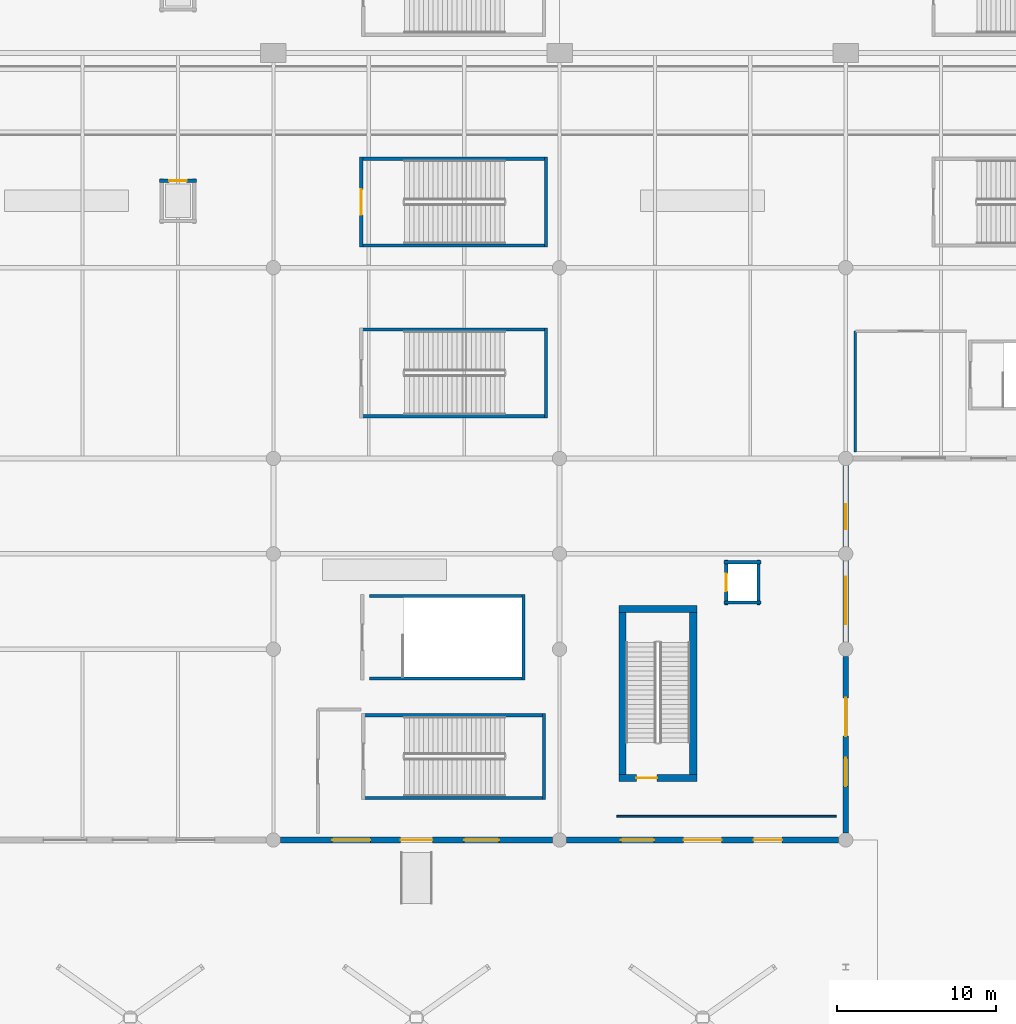
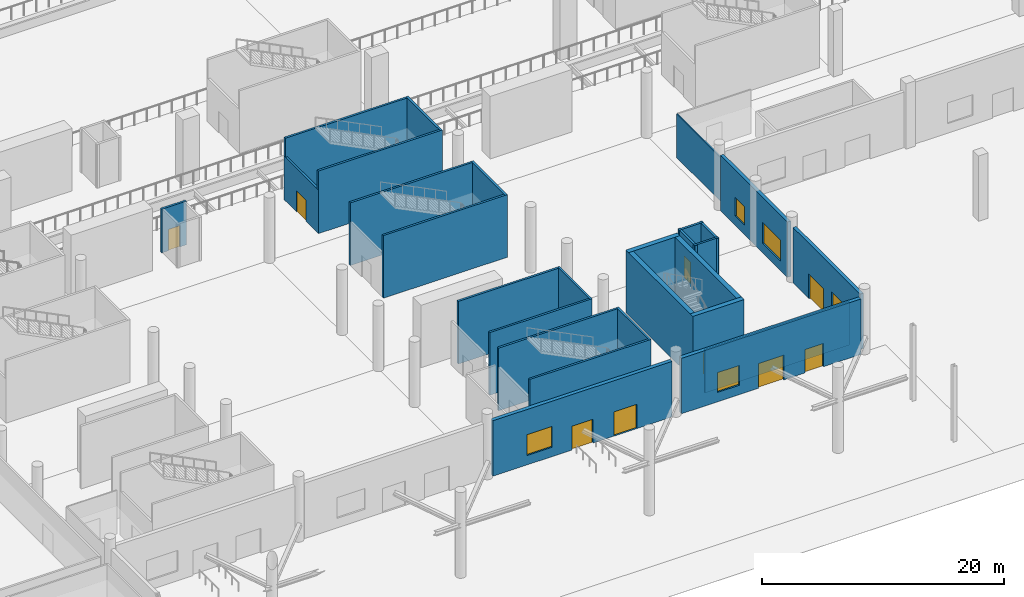
# One storey, part 15 of 65: 28 walls, 9 doors, 5 windows, 14 openings.
"""IFC4 building model written with IfcOpenShell, lengths in metres."""

from ifc_helpers import new_model, si_unit, direction, frame, frame_2d, origin, place, context, subcontext, project, spatial, rectangle, extrude, material, layer, layer_set, type_object, element, fill, save


model = new_model("IFC4")

# Units and contexts
model_context = context("Model", 3, precision=1e-05, world=origin(), true_north=direction((0.0, 1.0)))
body_context = subcontext(model_context, "Body", "Model", "MODEL_VIEW")
ifc_project = project(units=[si_unit("LENGTHUNIT", "METRE"), si_unit("AREAUNIT", "SQUARE_METRE"), si_unit("VOLUMEUNIT", "CUBIC_METRE"), si_unit("PLANEANGLEUNIT", "RADIAN"), si_unit("MASSUNIT", "GRAM", prefix="KILO")], contexts=[model_context])

# Site, building, storey
site_placement = place(None, origin())
site = spatial("IfcSite", under=ifc_project, at=site_placement, CompositionType="ELEMENT")
building_placement = place(site_placement, origin())
building = spatial("IfcBuilding", under=site, at=building_placement, Name="Chuanluo Vaults Station", CompositionType="ELEMENT")
storey_placement = place(building_placement, origin())
storey = spatial("IfcBuildingStorey", under=building, at=storey_placement, Name="L00", CompositionType="ELEMENT", Elevation=0.0)

# Walls
ifc_material_1 = material(Name="Concrete C50", Category="concrete")
ifc_layer_1 = layer(ifc_material_1, 0.449951171875)
ifc_layer_set_1 = layer_set([ifc_layer_1], Name="Concrete C50")
wall_type_1 = type_object("IfcWallType", Name="WL-COR-450", PredefinedType="SHEAR", material=ifc_layer_set_1)
for number, where, z_axis, x_axis, name in (
    (1, (80.41259765625, 21.675048828125, 0.0), (0.0, 0.0, 1.0), (0.0, 1.0, 0.0), "Core K6 left shear wall"),
    (2, (75.96240234375, 32.75, 0.0), (0.0, 0.0, 1.0), (0.0, -1.0, 0.0), "Core K6 right shear wall"),
):
    element("IfcWall", number, at=place(storey_placement, frame(where, z_axis=z_axis, x_axis=x_axis)), inside=storey, type_object=wall_type_1, Name=name, PredefinedType="SHEAR", context=body_context, shape_type="SweptSolid", body=[
        extrude(rectangle(XDim=11.074951171875, YDim=0.449951171875, at=frame_2d((5.53759765625, 0.0))), origin(), (0.0, 0.0, 1.0), 6.320068359375),
    ])
wall_1_placement = place(storey_placement, frame((80.637451171875, 32.52490234375, 0.0), z_axis=(0.0, 0.0, 1.0), x_axis=(-1.0, 0.0, 0.0)))
element("IfcWall", 3, at=wall_1_placement, inside=storey, type_object=wall_type_1, Name="Core K6 far shear wall", PredefinedType="SHEAR", context=body_context, shape_type="SweptSolid", body=[
    extrude(rectangle(XDim=4.89990234375, YDim=0.449951171875, at=frame_2d((2.449951171875, 0.0))), origin(), (0.0, 0.0, 1.0), 6.320068359375),
])

# Wall, opening, door
wall_2_placement = place(storey_placement, frame((75.737548828125, 21.89990234375, 0.0), z_axis=(0.0, 0.0, 1.0), x_axis=(1.0, 0.0, 0.0)))
wall_2 = element("IfcWall", 4, at=wall_2_placement, inside=storey, type_object=wall_type_1, Name="Core K6 near shear wall", PredefinedType="SHEAR", context=body_context, shape_type="SweptSolid", body=[
    extrude(rectangle(XDim=4.89990234375, YDim=0.449951171875, at=frame_2d((2.449951171875, 0.0))), origin(), (0.0, 0.0, 1.0), 6.320068359375),
])
opening_1_placement = place(wall_2_placement, frame((1.10009765625, 0.0, 0.0)))
opening_1 = element("IfcOpeningElement", 5, at=opening_1_placement, cuts=wall_2, Name="Opening FD-05", PredefinedType="OPENING", context=body_context, shape_type="SweptSolid", body=[
    extrude(rectangle(XDim=1.300048828125, YDim=2.10009765625, at=frame_2d((0.64990234375, 1.050048828125))), frame((0.0, 0.2351, 0.0), z_axis=(0.0, -1.0, 0.0), x_axis=(1.0, 0.0, 0.0)), (0.0, 0.0, 1.0), 0.46995),
])
ifc_material_2 = material(Name="Fire-rated steel leaf", Category="steel")
door_type_1 = type_object("IfcDoorType", Name="DR-FIR-1300x2100", OperationType="NOTDEFINED", PredefinedType="DOOR", material=ifc_material_2)
door_1_placement = place(opening_1_placement, origin())
door_1 = element("IfcDoor", 6, at=door_1_placement, inside=storey, type_object=door_type_1, Name="D-090 Stair ST-06 fire door", OperationType="SINGLE_SWING_LEFT", OverallHeight=2.10009765625, OverallWidth=1.300048828125, PredefinedType="DOOR", context=body_context, shape_type="SweptSolid", body=[
    extrude(rectangle(XDim=1.300048828125, YDim=2.10009765625, at=frame_2d((0.64990234375, 1.050048828125))), frame((0.0, 0.02490234375, 0.0), z_axis=(0.0, -1.0, 0.0), x_axis=(1.0, 0.0, 0.0)), (0.0, 0.0, 1.0), 0.050048828125),
])
fill(opening_1, door_1)

# Wall, openings, door, window
ifc_material_3 = material(Name="Concrete C40", Category="concrete")
ifc_layer_2 = layer(ifc_material_3, 0.320068359375)
ifc_layer_set_2 = layer_set([ifc_layer_2], Name="Concrete C40")
wall_type_2 = type_object("IfcWallType", Name="WL-EXT-320", PredefinedType="SOLIDWALL", material=ifc_layer_set_2)
wall_3_placement = place(storey_placement, frame((90.0, 29.550048828125, 0.0), z_axis=(0.0, 0.0, 1.0), x_axis=(0.0, -1.0, 0.0)))
wall_3 = element("IfcWall", 7, at=wall_3_placement, inside=storey, type_object=wall_type_2, Name="Arrival court east wall 1", PredefinedType="SOLIDWALL", context=body_context, shape_type="SweptSolid", body=[
    extrude(rectangle(XDim=11.10009765625, YDim=0.320068359375, at=frame_2d((5.550048828125, 0.0))), origin(), (0.0, 0.0, 1.0), 5.594970703125),
])
opening_2_placement = place(wall_3_placement, frame((2.61669921875, 0.0, 0.0)))
opening_2 = element("IfcOpeningElement", 8, at=opening_2_placement, cuts=wall_3, Name="Opening D-E04", PredefinedType="OPENING", context=body_context, shape_type="SweptSolid", body=[
    extrude(rectangle(XDim=2.39990234375, YDim=2.5, at=frame_2d((1.199951171875, 1.25))), frame((0.0, 0.17016, 0.0), z_axis=(0.0, -1.0, 0.0), x_axis=(1.0, 0.0, 0.0)), (0.0, 0.0, 1.0), 0.34007),
])
opening_3_placement = place(wall_3_placement, frame((6.38330078125, 0.0, 0.949951171875)))
opening_3 = element("IfcOpeningElement", 9, at=opening_3_placement, cuts=wall_3, Name="Opening W-20", PredefinedType="OPENING", context=body_context, shape_type="SweptSolid", body=[
    extrude(rectangle(XDim=1.800048828125, YDim=2.0, at=frame_2d((0.89990234375, 1.0))), frame((0.0, 0.17016, 0.0), z_axis=(0.0, -1.0, 0.0), x_axis=(1.0, 0.0, 0.0)), (0.0, 0.0, 1.0), 0.34007),
])
ifc_material_4 = material(Name="Anodised aluminium 6063-T6", Category="aluminium")
door_type_2 = type_object("IfcDoorType", Name="DR-EXT-2400x2500", OperationType="NOTDEFINED", PredefinedType="DOOR", material=ifc_material_4)
door_2_placement = place(opening_2_placement, origin())
door_2 = element("IfcDoor", 10, at=door_2_placement, inside=storey, type_object=door_type_2, Name="D-009 Arrival court east wall 1 exit door", OperationType="SINGLE_SWING_LEFT", OverallHeight=2.5, OverallWidth=2.39990234375, PredefinedType="DOOR", context=body_context, shape_type="SweptSolid", body=[
    extrude(rectangle(XDim=2.39990234375, YDim=2.5, at=frame_2d((1.199951171875, 1.25))), frame((0.0, 0.02490234375, 0.0), z_axis=(0.0, -1.0, 0.0), x_axis=(1.0, 0.0, 0.0)), (0.0, 0.0, 1.0), 0.050048828125),
])
fill(opening_2, door_2)
ifc_material_5 = material(Name="Double-silver Low-E laminated glass", Category="glass")
window_type_1 = type_object("IfcWindowType", Name="WN-RET-1800x2000", PartitioningType="SINGLE_PANEL", PredefinedType="WINDOW", material=ifc_material_5)
window_1_placement = place(opening_3_placement, origin())
window_1 = element("IfcWindow", 11, at=window_1_placement, inside=storey, type_object=window_type_1, Name="W-005 Ground streetwall window", OverallHeight=2.0, OverallWidth=1.800048828125, PartitioningType="SINGLE_PANEL", PredefinedType="WINDOW", context=body_context, shape_type="SweptSolid", body=[
    extrude(rectangle(XDim=1.800048828125, YDim=2.0, at=frame_2d((0.89990234375, 1.0))), frame((0.0, 0.030029296875, 0.0), z_axis=(0.0, -1.0, 0.0), x_axis=(1.0, 0.0, 0.0)), (0.0, 0.0, 1.0), 0.06005859375),
])
fill(opening_3, window_1)

# Wall, openings, windows
wall_4_placement = place(storey_placement, frame((90.0, 41.550048828125, 0.0), z_axis=(0.0, 0.0, 1.0), x_axis=(0.0, -1.0, 0.0)))
wall_4 = element("IfcWall", 12, at=wall_4_placement, inside=storey, type_object=wall_type_2, Name="Arrival court east wall 2", PredefinedType="SOLIDWALL", context=body_context, shape_type="SweptSolid", body=[
    extrude(rectangle(XDim=11.10009765625, YDim=0.320068359375, at=frame_2d((5.550048828125, 0.0))), origin(), (0.0, 0.0, 1.0), 5.594970703125),
])
opening_4_placement = place(wall_4_placement, frame((2.416748046875, 0.0, 0.949951171875)))
opening_4 = element("IfcOpeningElement", 13, at=opening_4_placement, cuts=wall_4, Name="Opening W-21", PredefinedType="OPENING", context=body_context, shape_type="SweptSolid", body=[
    extrude(rectangle(XDim=1.60009765625, YDim=1.89990234375, at=frame_2d((0.800048828125, 0.949951171875))), frame((0.0, 0.17016, 0.0), z_axis=(0.0, -1.0, 0.0), x_axis=(1.0, 0.0, 0.0)), (0.0, 0.0, 1.0), 0.34007),
])
opening_5_placement = place(wall_4_placement, frame((6.9833984375, 0.0, 0.949951171875)))
opening_5 = element("IfcOpeningElement", 14, at=opening_5_placement, cuts=wall_4, Name="Opening W-16", PredefinedType="OPENING", context=body_context, shape_type="SweptSolid", body=[
    extrude(rectangle(XDim=3.0, YDim=2.10009765625, at=frame_2d((1.5, 1.050048828125))), frame((0.0, 0.17016, 0.0), z_axis=(0.0, -1.0, 0.0), x_axis=(1.0, 0.0, 0.0)), (0.0, 0.0, 1.0), 0.34007),
])
ifc_material_6 = material(Name="Double-silver Low-E laminated glass", Category="glass")
window_type_2 = type_object("IfcWindowType", Name="WN-RET-1600x1900", PartitioningType="SINGLE_PANEL", PredefinedType="WINDOW", material=ifc_material_6)
window_2_placement = place(opening_4_placement, origin())
window_2 = element("IfcWindow", 15, at=window_2_placement, inside=storey, type_object=window_type_2, Name="W-006 Ground streetwall window", OverallHeight=1.89990234375, OverallWidth=1.60009765625, PartitioningType="SINGLE_PANEL", PredefinedType="WINDOW", context=body_context, shape_type="SweptSolid", body=[
    extrude(rectangle(XDim=1.60009765625, YDim=1.89990234375, at=frame_2d((0.800048828125, 0.949951171875))), frame((0.0, 0.030029296875, 0.0), z_axis=(0.0, -1.0, 0.0), x_axis=(1.0, 0.0, 0.0)), (0.0, 0.0, 1.0), 0.06005859375),
])
fill(opening_4, window_2)
ifc_material_7 = material(Name="Double-silver Low-E laminated glass", Category="glass")
window_type_3 = type_object("IfcWindowType", Name="WN-RET-3000x2100", PartitioningType="SINGLE_PANEL", PredefinedType="WINDOW", material=ifc_material_7)
window_3_placement = place(opening_5_placement, origin())
window_3 = element("IfcWindow", 16, at=window_3_placement, inside=storey, type_object=window_type_3, Name="W-007 Ground streetwall window", OverallHeight=2.10009765625, OverallWidth=3.0, PartitioningType="SINGLE_PANEL", PredefinedType="WINDOW", context=body_context, shape_type="SweptSolid", body=[
    extrude(rectangle(XDim=3.0, YDim=2.10009765625, at=frame_2d((1.5, 1.050048828125))), frame((0.0, 0.030029296875, 0.0), z_axis=(0.0, -1.0, 0.0), x_axis=(1.0, 0.0, 0.0)), (0.0, 0.0, 1.0), 0.06005859375),
])
fill(opening_5, window_3)

# Wall, openings, doors, window
ifc_material_8 = material(Name="Concrete C50", Category="concrete")
ifc_layer_3 = layer(ifc_material_8, 0.360107421875)
ifc_layer_set_3 = layer_set([ifc_layer_3], Name="Concrete C50")
wall_type_3 = type_object("IfcWallType", Name="WL-EXT-360", PredefinedType="SOLIDWALL", material=ifc_layer_set_3)
wall_5_placement = place(storey_placement, frame((71.550048828125, 18.0, 0.0), z_axis=(0.0, 0.0, 1.0), x_axis=(-1.0, 0.0, 0.0)))
wall_5 = element("IfcWall", 17, at=wall_5_placement, inside=storey, type_object=wall_type_3, Name="Forecourt south entrance wall 3", PredefinedType="SOLIDWALL", context=body_context, shape_type="SweptSolid", body=[
    extrude(rectangle(XDim=17.10009765625, YDim=0.360107421875, at=frame_2d((8.550048828125, 0.0))), origin(), (0.0, 0.0, 1.0), 5.594970703125),
])
opening_6_placement = place(wall_5_placement, frame((3.35009765625, 0.0, 0.0)))
opening_6 = element("IfcOpeningElement", 18, at=opening_6_placement, cuts=wall_5, Name="Opening D-E05", PredefinedType="OPENING", context=body_context, shape_type="SweptSolid", body=[
    extrude(rectangle(XDim=2.199951171875, YDim=2.449951171875, at=frame_2d((1.10009765625, 1.22509765625))), frame((0.0, 0.19018, 0.0), z_axis=(0.0, -1.0, 0.0), x_axis=(1.0, 0.0, 0.0)), (0.0, 0.0, 1.0), 0.38011),
])
opening_7_placement = place(wall_5_placement, frame((7.550048828125, 0.0, 0.0)))
opening_7 = element("IfcOpeningElement", 19, at=opening_7_placement, cuts=wall_5, Name="Opening D-E06", PredefinedType="OPENING", context=body_context, shape_type="SweptSolid", body=[
    extrude(rectangle(XDim=2.0, YDim=2.39990234375, at=frame_2d((1.0, 1.199951171875))), frame((0.0, 0.19018, 0.0), z_axis=(0.0, -1.0, 0.0), x_axis=(1.0, 0.0, 0.0)), (0.0, 0.0, 1.0), 0.38011),
])
opening_8_placement = place(wall_5_placement, frame((11.449951171875, 0.0, 0.949951171875)))
opening_8 = element("IfcOpeningElement", 20, at=opening_8_placement, cuts=wall_5, Name="Opening W-18", PredefinedType="OPENING", context=body_context, shape_type="SweptSolid", body=[
    extrude(rectangle(XDim=2.39990234375, YDim=2.10009765625, at=frame_2d((1.199951171875, 1.050048828125))), frame((0.0, 0.19018, 0.0), z_axis=(0.0, -1.0, 0.0), x_axis=(1.0, 0.0, 0.0)), (0.0, 0.0, 1.0), 0.38011),
])
ifc_material_9 = material(Name="Anodised aluminium 6063-T6", Category="aluminium")
door_type_3 = type_object("IfcDoorType", Name="DR-EXT-2000x2400", OperationType="NOTDEFINED", PredefinedType="DOOR", material=ifc_material_9)
door_3_placement = place(opening_7_placement, origin())
door_3 = element("IfcDoor", 21, at=door_3_placement, inside=storey, type_object=door_type_3, Name="D-006 Forecourt south entrance wall 3 exit door", OperationType="SINGLE_SWING_RIGHT", OverallHeight=2.39990234375, OverallWidth=2.0, PredefinedType="DOOR", context=body_context, shape_type="SweptSolid", body=[
    extrude(rectangle(XDim=2.0, YDim=2.39990234375, at=frame_2d((1.0, 1.199951171875))), frame((0.0, 0.02490234375, 0.0), z_axis=(0.0, -1.0, 0.0), x_axis=(1.0, 0.0, 0.0)), (0.0, 0.0, 1.0), 0.050048828125),
])
fill(opening_7, door_3)
ifc_material_10 = material(Name="Anodised aluminium 6063-T6", Category="aluminium")
door_type_4 = type_object("IfcDoorType", Name="DR-EXT-2200x2450", OperationType="NOTDEFINED", PredefinedType="DOOR", material=ifc_material_10)
door_4_placement = place(opening_6_placement, origin())
door_4 = element("IfcDoor", 22, at=door_4_placement, inside=storey, type_object=door_type_4, Name="D-005 Forecourt south entrance wall 3 exit door", OperationType="SINGLE_SWING_LEFT", OverallHeight=2.449951171875, OverallWidth=2.199951171875, PredefinedType="DOOR", context=body_context, shape_type="SweptSolid", body=[
    extrude(rectangle(XDim=2.199951171875, YDim=2.449951171875, at=frame_2d((1.10009765625, 1.22509765625))), frame((0.0, 0.02490234375, 0.0), z_axis=(0.0, -1.0, 0.0), x_axis=(1.0, 0.0, 0.0)), (0.0, 0.0, 1.0), 0.050048828125),
])
fill(opening_6, door_4)
ifc_material_11 = material(Name="Double-silver Low-E laminated glass", Category="glass")
window_type_4 = type_object("IfcWindowType", Name="WN-RET-2400x2100", PartitioningType="SINGLE_PANEL", PredefinedType="WINDOW", material=ifc_material_11)
window_4_placement = place(opening_8_placement, origin())
window_4 = element("IfcWindow", 23, at=window_4_placement, inside=storey, type_object=window_type_4, Name="W-003 Ground streetwall window", OverallHeight=2.10009765625, OverallWidth=2.39990234375, PartitioningType="SINGLE_PANEL", PredefinedType="WINDOW", context=body_context, shape_type="SweptSolid", body=[
    extrude(rectangle(XDim=2.39990234375, YDim=2.10009765625, at=frame_2d((1.199951171875, 1.050048828125))), frame((0.0, 0.030029296875, 0.0), z_axis=(0.0, -1.0, 0.0), x_axis=(1.0, 0.0, 0.0)), (0.0, 0.0, 1.0), 0.06005859375),
])
fill(opening_8, window_4)

wall_6_placement = place(storey_placement, frame((89.550048828125, 18.0, 0.0), z_axis=(0.0, 0.0, 1.0), x_axis=(-1.0, 0.0, 0.0)))
wall_6 = element("IfcWall", 24, at=wall_6_placement, inside=storey, type_object=wall_type_3, Name="Forecourt south entrance wall 4", PredefinedType="SOLIDWALL", context=body_context, shape_type="SweptSolid", body=[
    extrude(rectangle(XDim=17.10009765625, YDim=0.360107421875, at=frame_2d((8.550048828125, 0.0))), origin(), (0.0, 0.0, 1.0), 5.594970703125),
])
opening_9_placement = place(wall_6_placement, frame((3.550048828125, 0.0, 0.0)))
opening_9 = element("IfcOpeningElement", 25, at=opening_9_placement, cuts=wall_6, Name="Opening D-E07", PredefinedType="OPENING", context=body_context, shape_type="SweptSolid", body=[
    extrude(rectangle(XDim=1.800048828125, YDim=2.35009765625, at=frame_2d((0.89990234375, 1.175048828125))), frame((0.0, 0.19018, 0.0), z_axis=(0.0, -1.0, 0.0), x_axis=(1.0, 0.0, 0.0)), (0.0, 0.0, 1.0), 0.38011),
])
opening_10_placement = place(wall_6_placement, frame((7.35009765625, 0.0, 0.0)))
opening_10 = element("IfcOpeningElement", 26, at=opening_10_placement, cuts=wall_6, Name="Opening D-E04", PredefinedType="OPENING", context=body_context, shape_type="SweptSolid", body=[
    extrude(rectangle(XDim=2.39990234375, YDim=2.5, at=frame_2d((1.199951171875, 1.25))), frame((0.0, 0.19018, 0.0), z_axis=(0.0, -1.0, 0.0), x_axis=(1.0, 0.0, 0.0)), (0.0, 0.0, 1.0), 0.38011),
])
opening_11_placement = place(wall_6_placement, frame((11.60009765625, 0.0, 0.949951171875)))
opening_11 = element("IfcOpeningElement", 27, at=opening_11_placement, cuts=wall_6, Name="Opening W-19", PredefinedType="OPENING", context=body_context, shape_type="SweptSolid", body=[
    extrude(rectangle(XDim=2.10009765625, YDim=2.0, at=frame_2d((1.050048828125, 1.0))), frame((0.0, 0.19018, 0.0), z_axis=(0.0, -1.0, 0.0), x_axis=(1.0, 0.0, 0.0)), (0.0, 0.0, 1.0), 0.38011),
])
ifc_material_12 = material(Name="Anodised aluminium 6063-T6", Category="aluminium")
door_type_5 = type_object("IfcDoorType", Name="DR-EXT-1800x2350", OperationType="NOTDEFINED", PredefinedType="DOOR", material=ifc_material_12)
door_5_placement = place(opening_9_placement, origin())
door_5 = element("IfcDoor", 28, at=door_5_placement, inside=storey, type_object=door_type_5, Name="D-007 Forecourt south entrance wall 4 exit door", OperationType="SINGLE_SWING_LEFT", OverallHeight=2.35009765625, OverallWidth=1.800048828125, PredefinedType="DOOR", context=body_context, shape_type="SweptSolid", body=[
    extrude(rectangle(XDim=1.800048828125, YDim=2.35009765625, at=frame_2d((0.89990234375, 1.175048828125))), frame((0.0, 0.02490234375, 0.0), z_axis=(0.0, -1.0, 0.0), x_axis=(1.0, 0.0, 0.0)), (0.0, 0.0, 1.0), 0.050048828125),
])
fill(opening_9, door_5)
door_6_placement = place(opening_10_placement, origin())
door_6 = element("IfcDoor", 29, at=door_6_placement, inside=storey, type_object=door_type_2, Name="D-008 Forecourt south entrance wall 4 exit door", OperationType="SINGLE_SWING_RIGHT", OverallHeight=2.5, OverallWidth=2.39990234375, PredefinedType="DOOR", context=body_context, shape_type="SweptSolid", body=[
    extrude(rectangle(XDim=2.39990234375, YDim=2.5, at=frame_2d((1.199951171875, 1.25))), frame((0.0, 0.02490234375, 0.0), z_axis=(0.0, -1.0, 0.0), x_axis=(1.0, 0.0, 0.0)), (0.0, 0.0, 1.0), 0.050048828125),
])
fill(opening_10, door_6)
ifc_material_13 = material(Name="Double-silver Low-E laminated glass", Category="glass")
window_type_5 = type_object("IfcWindowType", Name="WN-RET-2100x2000", PartitioningType="SINGLE_PANEL", PredefinedType="WINDOW", material=ifc_material_13)
window_5_placement = place(opening_11_placement, origin())
window_5 = element("IfcWindow", 30, at=window_5_placement, inside=storey, type_object=window_type_5, Name="W-004 Ground streetwall window", OverallHeight=2.0, OverallWidth=2.10009765625, PartitioningType="SINGLE_PANEL", PredefinedType="WINDOW", context=body_context, shape_type="SweptSolid", body=[
    extrude(rectangle(XDim=2.10009765625, YDim=2.0, at=frame_2d((1.050048828125, 1.0))), frame((0.0, 0.030029296875, 0.0), z_axis=(0.0, -1.0, 0.0), x_axis=(1.0, 0.0, 0.0)), (0.0, 0.0, 1.0), 0.06005859375),
])
fill(opening_11, window_5)

# Walls
ifc_material_14 = material(Name="Masonry blockwork M10", Category="masonry")
ifc_layer_4 = layer(ifc_material_14, 0.110107421875)
ifc_layer_set_4 = layer_set([ifc_layer_4], Name="Masonry blockwork M10")
wall_type_4 = type_object("IfcWallType", Name="WL-PRT-110", PredefinedType="PARTITIONING", material=ifc_layer_set_4)
wall_7_placement = place(storey_placement, frame((75.60009765625, 19.5, 0.0), z_axis=(0.0, 0.0, 1.0), x_axis=(1.0, 0.0, 0.0)))
element("IfcWall", 31, at=wall_7_placement, inside=storey, type_object=wall_type_4, Name="L00-EX06 Core K6 Protected Exit Vestibule N partition", PredefinedType="PARTITIONING", context=body_context, shape_type="SweptSolid", body=[
    extrude(rectangle(XDim=13.7998046875, YDim=0.110107421875, at=frame_2d((6.89990234375, 0.0))), origin(), (0.0, 0.0, 1.0), 4.39990234375),
])
ifc_material_15 = material(Name="Masonry blockwork M10", Category="masonry")
ifc_layer_5 = layer(ifc_material_15, 0.1298828125)
ifc_layer_set_5 = layer_set([ifc_layer_5], Name="Masonry blockwork M10")
wall_type_5 = type_object("IfcWallType", Name="WL-PRT-130", PredefinedType="PARTITIONING", material=ifc_layer_set_5)
wall_8_placement = place(storey_placement, frame((90.60009765625, 42.39990234375, 0.0), z_axis=(0.0, 0.0, 1.0), x_axis=(0.0, 1.0, 0.0)))
element("IfcWall", 32, at=wall_8_placement, inside=storey, type_object=wall_type_5, Name="L00-EX25 Stair ST-25 Protected Ground Exit Lobby W partition", PredefinedType="PARTITIONING", context=body_context, shape_type="SweptSolid", body=[
    extrude(rectangle(XDim=7.60009765625, YDim=0.1298828125, at=frame_2d((3.800048828125, 0.0))), origin(), (0.0, 0.0, 1.0), 4.39990234375),
])
ifc_material_16 = material(Name="Concrete C40", Category="concrete")
ifc_layer_6 = layer(ifc_material_16, 0.199951171875)
ifc_layer_set_6 = layer_set([ifc_layer_6], Name="Concrete C40")
wall_type_6 = type_object("IfcWallType", Name="WL-SHF-200", PredefinedType="SOLIDWALL", material=ifc_layer_set_6)
for number, where, z_axis, x_axis, name in (
    (33, (59.425048828125, 55.39990234375, 0.0), (0.0, 0.0, 1.0), (1.0, 0.0, 0.0), "Stair ST-08 south shaft wall L00"),
    (34, (71.25, 60.85009765625, 0.0), (0.0, 0.0, 1.0), (-1.0, 0.0, 0.0), "Stair ST-08 north shaft wall L00"),
):
    element("IfcWall", number, at=place(storey_placement, frame(where, z_axis=z_axis, x_axis=x_axis)), inside=storey, type_object=wall_type_6, Name=name, PredefinedType="SOLIDWALL", context=body_context, shape_type="SweptSolid", body=[
        extrude(rectangle(XDim=11.824951171875, YDim=0.199951171875, at=frame_2d((5.91259765625, 0.0))), origin(), (0.0, 0.0, 1.0), 6.320068359375),
    ])
wall_9_placement = place(storey_placement, frame((71.14990234375, 55.300048828125, 0.0), z_axis=(0.0, 0.0, 1.0), x_axis=(0.0, 1.0, 0.0)))
element("IfcWall", 35, at=wall_9_placement, inside=storey, type_object=wall_type_6, Name="Stair ST-08 far shaft wall L00", PredefinedType="SOLIDWALL", context=body_context, shape_type="SweptSolid", body=[
    extrude(rectangle(XDim=5.64990234375, YDim=0.199951171875, at=frame_2d((2.824951171875, 0.0))), origin(), (0.0, 0.0, 1.0), 6.320068359375),
])

# Wall, opening, door
wall_10_placement = place(storey_placement, frame((59.52490234375, 60.949951171875, 0.0), z_axis=(0.0, 0.0, 1.0), x_axis=(0.0, -1.0, 0.0)))
wall_10 = element("IfcWall", 36, at=wall_10_placement, inside=storey, type_object=wall_type_6, Name="Stair ST-08 vestibule wall L00", PredefinedType="SOLIDWALL", context=body_context, shape_type="SweptSolid", body=[
    extrude(rectangle(XDim=5.64990234375, YDim=0.199951171875, at=frame_2d((2.824951171875, 0.0))), origin(), (0.0, 0.0, 1.0), 4.39990234375),
])
opening_12_placement = place(wall_10_placement, frame((2.02490234375, 0.0, 0.0)))
opening_12 = element("IfcOpeningElement", 37, at=opening_12_placement, cuts=wall_10, Name="Opening FD-02", PredefinedType="OPENING", context=body_context, shape_type="SweptSolid", body=[
    extrude(rectangle(XDim=1.60009765625, YDim=2.14990234375, at=frame_2d((0.800048828125, 1.074951171875))), frame((0.0, 0.1101, 0.0), z_axis=(0.0, -1.0, 0.0), x_axis=(1.0, 0.0, 0.0)), (0.0, 0.0, 1.0), 0.21995),
])
ifc_material_17 = material(Name="Fire-rated steel leaf", Category="steel")
door_type_6 = type_object("IfcDoorType", Name="DR-FIR-1600x2150", OperationType="NOTDEFINED", PredefinedType="DOOR", material=ifc_material_17)
door_7_placement = place(opening_12_placement, origin())
door_7 = element("IfcDoor", 38, at=door_7_placement, inside=storey, type_object=door_type_6, Name="D-095 Stair ST-08 fire door L00", OperationType="SINGLE_SWING_RIGHT", OverallHeight=2.14990234375, OverallWidth=1.60009765625, PredefinedType="DOOR", context=body_context, shape_type="SweptSolid", body=[
    extrude(rectangle(XDim=1.60009765625, YDim=2.14990234375, at=frame_2d((0.800048828125, 1.074951171875))), frame((0.0, 0.02490234375, 0.0), z_axis=(0.0, -1.0, 0.0), x_axis=(1.0, 0.0, 0.0)), (0.0, 0.0, 1.0), 0.050048828125),
])
fill(opening_12, door_7)

# Walls
for number, where, z_axis, x_axis, name in (
    (39, (59.550048828125, 20.64990234375, 0.0), (0.0, 0.0, 1.0), (1.0, 0.0, 0.0), "Stair ST-19 south shaft wall L00"),
    (40, (71.125, 25.85009765625, 0.0), (0.0, 0.0, 1.0), (-1.0, 0.0, 0.0), "Stair ST-19 north shaft wall L00"),
):
    element("IfcWall", number, at=place(storey_placement, frame(where, z_axis=z_axis, x_axis=x_axis)), inside=storey, type_object=wall_type_6, Name=name, PredefinedType="SOLIDWALL", context=body_context, shape_type="SweptSolid", body=[
        extrude(rectangle(XDim=11.574951171875, YDim=0.199951171875, at=frame_2d((5.78759765625, 0.0))), origin(), (0.0, 0.0, 1.0), 6.320068359375),
    ])
wall_11_placement = place(storey_placement, frame((71.02490234375, 20.550048828125, 0.0), z_axis=(0.0, 0.0, 1.0), x_axis=(0.0, 1.0, 0.0)))
element("IfcWall", 41, at=wall_11_placement, inside=storey, type_object=wall_type_6, Name="Stair ST-19 far shaft wall L00", PredefinedType="SOLIDWALL", context=body_context, shape_type="SweptSolid", body=[
    extrude(rectangle(XDim=5.39990234375, YDim=0.199951171875, at=frame_2d((2.699951171875, 0.0))), origin(), (0.0, 0.0, 1.0), 6.320068359375),
])
for number, where, z_axis, x_axis, name in (
    (42, (59.425048828125, 44.64990234375, 0.0), (0.0, 0.0, 1.0), (1.0, 0.0, 0.0), "Stair ST-21 south shaft wall L00"),
    (43, (71.25, 50.10009765625, 0.0), (0.0, 0.0, 1.0), (-1.0, 0.0, 0.0), "Stair ST-21 north shaft wall L00"),
):
    element("IfcWall", number, at=place(storey_placement, frame(where, z_axis=z_axis, x_axis=x_axis)), inside=storey, type_object=wall_type_6, Name=name, PredefinedType="SOLIDWALL", context=body_context, shape_type="SweptSolid", body=[
        extrude(rectangle(XDim=11.824951171875, YDim=0.199951171875, at=frame_2d((5.91259765625, 0.0))), origin(), (0.0, 0.0, 1.0), 6.320068359375),
    ])
wall_12_placement = place(storey_placement, frame((71.14990234375, 44.550048828125, 0.0), z_axis=(0.0, 0.0, 1.0), x_axis=(0.0, 1.0, 0.0)))
element("IfcWall", 44, at=wall_12_placement, inside=storey, type_object=wall_type_6, Name="Stair ST-21 far shaft wall L00", PredefinedType="SOLIDWALL", context=body_context, shape_type="SweptSolid", body=[
    extrude(rectangle(XDim=5.64990234375, YDim=0.199951171875, at=frame_2d((2.824951171875, 0.0))), origin(), (0.0, 0.0, 1.0), 6.320068359375),
])
for number, where, z_axis, x_axis, name in (
    (45, (60.050048828125, 28.14990234375, 0.0), (0.0, 0.0, 1.0), (1.0, 0.0, 0.0), "Stair ST-23 south shaft wall L00"),
    (46, (69.824951171875, 33.35009765625, 0.0), (0.0, 0.0, 1.0), (-1.0, 0.0, 0.0), "Stair ST-23 north shaft wall L00"),
):
    element("IfcWall", number, at=place(storey_placement, frame(where, z_axis=z_axis, x_axis=x_axis)), inside=storey, type_object=wall_type_6, Name=name, PredefinedType="SOLIDWALL", context=body_context, shape_type="SweptSolid", body=[
        extrude(rectangle(XDim=9.77490234375, YDim=0.199951171875, at=frame_2d((4.887451171875, 0.0))), origin(), (0.0, 0.0, 1.0), 6.320068359375),
    ])
wall_13_placement = place(storey_placement, frame((69.72509765625, 28.050048828125, 0.0), z_axis=(0.0, 0.0, 1.0), x_axis=(0.0, 1.0, 0.0)))
element("IfcWall", 47, at=wall_13_placement, inside=storey, type_object=wall_type_6, Name="Stair ST-23 far shaft wall L00", PredefinedType="SOLIDWALL", context=body_context, shape_type="SweptSolid", body=[
    extrude(rectangle(XDim=5.39990234375, YDim=0.199951171875, at=frame_2d((2.699951171875, 0.0))), origin(), (0.0, 0.0, 1.0), 6.320068359375),
])

# Wall, opening, door
wall_14_placement = place(storey_placement, frame((49.169921875, 59.469970703125, 0.0), z_axis=(0.0, 0.0, 1.0), x_axis=(-1.0, 0.0, 0.0)))
wall_14 = element("IfcWall", 48, at=wall_14_placement, inside=storey, type_object=wall_type_6, Name="Lift PL-01 shaft wall L00 +Y", PredefinedType="SOLIDWALL", context=body_context, shape_type="SweptSolid", body=[
    extrude(rectangle(XDim=2.33984375, YDim=0.199951171875, at=frame_2d((1.169921875, 0.0))), origin(), (0.0, 0.0, 1.0), 4.39990234375),
])
opening_13_placement = place(wall_14_placement, frame((0.6201171875, 0.0, 0.0)))
opening_13 = element("IfcOpeningElement", 49, at=opening_13_placement, cuts=wall_14, Name="Opening LD-01", PredefinedType="OPENING", context=body_context, shape_type="SweptSolid", body=[
    extrude(rectangle(XDim=1.10009765625, YDim=2.14990234375, at=frame_2d((0.550048828125, 1.074951171875))), frame((0.0, 0.1101, 0.0), z_axis=(0.0, -1.0, 0.0), x_axis=(1.0, 0.0, 0.0)), (0.0, 0.0, 1.0), 0.21995),
])
ifc_material_18 = material(Name="Brushed stainless steel 304", Category="steel")
door_type_7 = type_object("IfcDoorType", Name="DR-LFT-1100x2150", OperationType="SLIDING_TO_LEFT", PredefinedType="DOOR", material=ifc_material_18)
door_8_placement = place(opening_13_placement, origin())
door_8 = element("IfcDoor", 50, at=door_8_placement, inside=storey, type_object=door_type_7, Name="LD-PL-01-01 Lift PL-01 sliding landing door L00", OperationType="SLIDING_TO_LEFT", OverallHeight=2.14990234375, OverallWidth=1.10009765625, PredefinedType="DOOR", context=body_context, shape_type="SweptSolid", body=[
    extrude(rectangle(XDim=1.10009765625, YDim=2.14990234375, at=frame_2d((0.550048828125, 1.074951171875))), frame((0.0, 0.02490234375, 0.0), z_axis=(0.0, -1.0, 0.0), x_axis=(1.0, 0.0, 0.0)), (0.0, 0.0, 1.0), 0.050048828125),
])
fill(opening_13, door_8)

# Walls
for number, where, z_axis, x_axis, name in (
    (51, (82.330078125, 32.929931640625, 0.0), (0.0, 0.0, 1.0), (1.0, 0.0, 0.0), "Lift EL-01 shaft wall L00 -Y"),
    (52, (84.669921875, 35.469970703125, 0.0), (0.0, 0.0, 1.0), (-1.0, 0.0, 0.0), "Lift EL-01 shaft wall L00 +Y"),
):
    element("IfcWall", number, at=place(storey_placement, frame(where, z_axis=z_axis, x_axis=x_axis)), inside=storey, type_object=wall_type_6, Name=name, PredefinedType="SOLIDWALL", context=body_context, shape_type="SweptSolid", body=[
        extrude(rectangle(XDim=2.33984375, YDim=0.199951171875, at=frame_2d((1.169921875, 0.0))), origin(), (0.0, 0.0, 1.0), 4.39990234375),
    ])

# Wall, opening, door
wall_15_placement = place(storey_placement, frame((82.47998046875, 35.6201171875, 0.0), z_axis=(0.0, 0.0, 1.0), x_axis=(0.0, -1.0, 0.0)))
wall_15 = element("IfcWall", 53, at=wall_15_placement, inside=storey, type_object=wall_type_6, Name="Lift EL-01 shaft wall L00 -X", PredefinedType="SOLIDWALL", context=body_context, shape_type="SweptSolid", body=[
    extrude(rectangle(XDim=2.840087890625, YDim=0.199951171875, at=frame_2d((1.419921875, 0.0))), origin(), (0.0, 0.0, 1.0), 4.39990234375),
])
opening_14_placement = place(wall_15_placement, frame((0.8701171875, 0.0, 0.0)))
opening_14 = element("IfcOpeningElement", 54, at=opening_14_placement, cuts=wall_15, Name="Opening LD-01", PredefinedType="OPENING", context=body_context, shape_type="SweptSolid", body=[
    extrude(rectangle(XDim=1.10009765625, YDim=2.14990234375, at=frame_2d((0.550048828125, 1.074951171875))), frame((0.0, 0.1101, 0.0), z_axis=(0.0, -1.0, 0.0), x_axis=(1.0, 0.0, 0.0)), (0.0, 0.0, 1.0), 0.21995),
])
door_9_placement = place(opening_14_placement, origin())
door_9 = element("IfcDoor", 55, at=door_9_placement, inside=storey, type_object=door_type_7, Name="LD-EL-01-02 Lift EL-01 sliding landing door L00", OperationType="SLIDING_TO_LEFT", OverallHeight=2.14990234375, OverallWidth=1.10009765625, PredefinedType="DOOR", context=body_context, shape_type="SweptSolid", body=[
    extrude(rectangle(XDim=1.10009765625, YDim=2.14990234375, at=frame_2d((0.550048828125, 1.074951171875))), frame((0.0, 0.02490234375, 0.0), z_axis=(0.0, -1.0, 0.0), x_axis=(1.0, 0.0, 0.0)), (0.0, 0.0, 1.0), 0.050048828125),
])
fill(opening_14, door_9)

# Wall
wall_16_placement = place(storey_placement, frame((84.52001953125, 32.780029296875, 0.0), z_axis=(0.0, 0.0, 1.0), x_axis=(0.0, 1.0, 0.0)))
element("IfcWall", 56, at=wall_16_placement, inside=storey, type_object=wall_type_6, Name="Lift EL-01 shaft wall L00 +X", PredefinedType="SOLIDWALL", context=body_context, shape_type="SweptSolid", body=[
    extrude(rectangle(XDim=2.840087890625, YDim=0.199951171875, at=frame_2d((1.419921875, 0.0))), origin(), (0.0, 0.0, 1.0), 4.39990234375),
])

save(model, "model.ifc")
